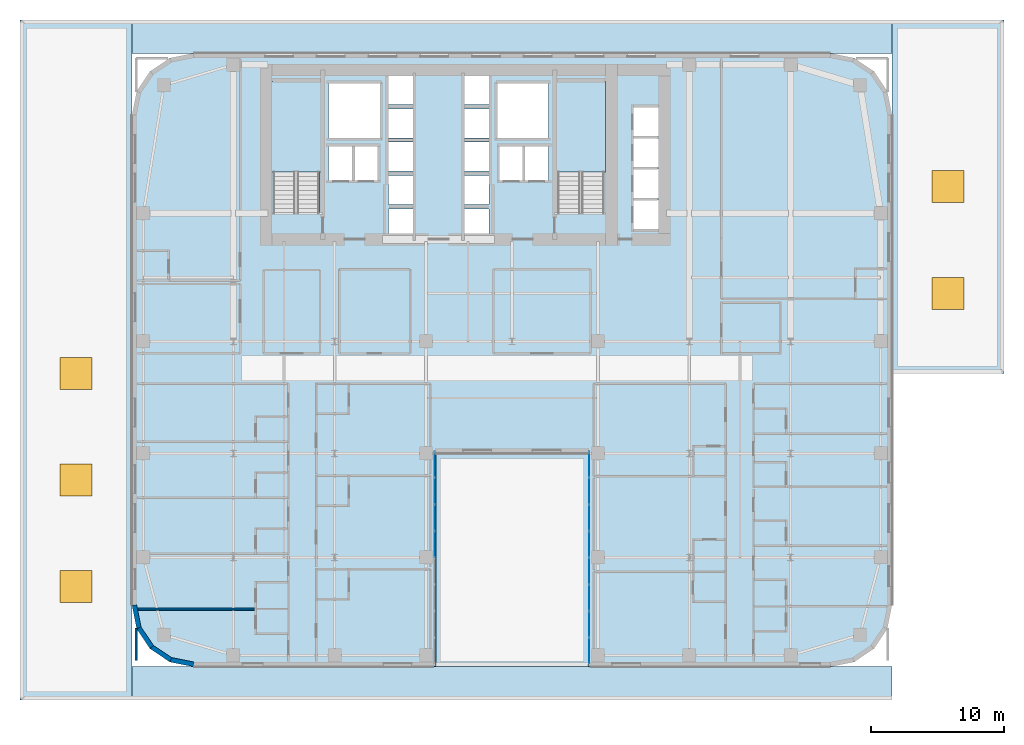
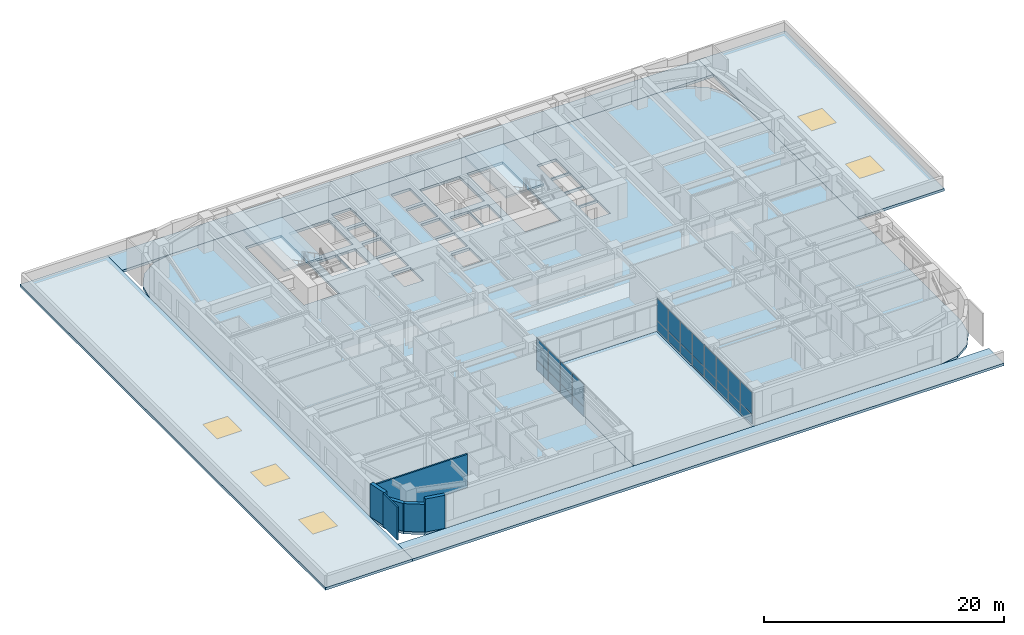
# One storey, part 12 of 25: 24 plates, 8 slabs, 6 walls, 5 windows, 5 openings, 4 elements without a shape of their own.
"""IFC4 building model written with IfcOpenShell, lengths in metres."""

from ifc_helpers import new_model, si_unit, direction, frame, frame_2d, origin, origin_2d, place, context, subcontext, project, spatial, polyline, rectangle, outline, extrude, source, transform, mapped, material, layer, layer_set, type_object, type_shapes, element, fill, aggregate, save


model = new_model("IFC4")

# Units and contexts
model_context = context("Model", 3, precision=1e-05, world=origin(), true_north=direction((0.0, 1.0)))
body_context = subcontext(model_context, "Body", "Model", "MODEL_VIEW")
ifc_project = project(units=[si_unit("LENGTHUNIT", "METRE"), si_unit("AREAUNIT", "SQUARE_METRE"), si_unit("VOLUMEUNIT", "CUBIC_METRE"), si_unit("PLANEANGLEUNIT", "RADIAN"), si_unit("MASSUNIT", "GRAM", prefix="KILO")], contexts=[model_context])

# Site, building, storey
site_placement = place(None, origin())
site = spatial("IfcSite", under=ifc_project, at=site_placement, CompositionType="ELEMENT")
building_placement = place(site_placement, origin())
building = spatial("IfcBuilding", under=site, at=building_placement, Name="Tolvann Quenvar Hotel", CompositionType="ELEMENT")
storey_placement = place(building_placement, frame((0.0, 0.0, 32.0)))
storey = spatial("IfcBuildingStorey", under=building, at=storey_placement, Name="L06", CompositionType="ELEMENT", Elevation=32.0)

# Stair, slab
ifc_material_1 = material(Name="Concrete N40 (40 MPa)", Category="concrete")
stair_type = type_object("IfcStairType", Name="STAIR", PredefinedType="HALF_TURN_STAIR", material=ifc_material_1)
stair_1_placement = place(storey_placement, origin())
stair_1 = element("IfcStair", 1, at=stair_1_placement, inside=storey, type_object=stair_type, Name="L06 ST-C1", PredefinedType="HALF_TURN_STAIR")
ifc_layer_1 = layer(ifc_material_1, 0.199951171875)
ifc_layer_set_1 = layer_set([ifc_layer_1], Name="Concrete N40 (40 MPa)")
slab_type_1 = type_object("IfcSlabType", Name="SLAB_LANDING", PredefinedType="LANDING", material=ifc_layer_set_1)
slab_1_placement = place(storey_placement, frame((0.0, 0.0, 1.574951171875)))
slab_1 = element("IfcSlab", 2, at=slab_1_placement, type_object=slab_type_1, Name="ST-C1 landing 1", PredefinedType="LANDING", context=body_context, shape_type="SweptSolid", body=[
    extrude(outline(polyline([(14.179931640625, 37.10498046875), (14.179931640625, 43.8798828125), (10.469970703125, 43.8798828125), (10.469970703125, 37.10498046875), (14.179931640625, 37.10498046875)])), origin(), (0.0, 0.0, 1.0), 0.199951171875),
])
aggregate(stair_1, [slab_1])

stair_2_placement = place(storey_placement, origin())
stair_2 = element("IfcStair", 3, at=stair_2_placement, inside=storey, type_object=stair_type, Name="L06 ST-C2", PredefinedType="HALF_TURN_STAIR")
slab_2_placement = place(storey_placement, frame((0.0, 0.0, 1.574951171875)))
slab_2 = element("IfcSlab", 4, at=slab_2_placement, type_object=slab_type_1, Name="ST-C2 landing 1", PredefinedType="LANDING", context=body_context, shape_type="SweptSolid", body=[
    extrude(outline(polyline([(35.530029296875, 37.10498046875), (35.530029296875, 43.8798828125), (31.820068359375, 43.8798828125), (31.820068359375, 37.10498046875), (35.530029296875, 37.10498046875)])), origin(), (0.0, 0.0, 1.0), 0.199951171875),
])
aggregate(stair_2, [slab_2])

# Slab
ifc_material_2 = material(Name="Concrete N50 (50 MPa)", Category="concrete")
ifc_layer_2 = layer(ifc_material_2, 0.260009765625)
ifc_layer_set_2 = layer_set([ifc_layer_2], Name="Concrete N50 (50 MPa)")
slab_type_2 = type_object("IfcSlabType", Name="SLAB_POD_250", PredefinedType="FLOOR", material=ifc_layer_set_2)
slab_3_placement = place(storey_placement, frame((0.0, 0.0, -0.260009765625)))
element("IfcSlab", 5, at=slab_3_placement, inside=storey, type_object=slab_type_2, Name="Level L06 Structural Floor Slab", PredefinedType="FLOOR", context=body_context, shape_type="SweptSolid", body=[
    extrude(outline(polyline([(0.0, 4.60009765625), (0.35009765625, 2.839599609375), (1.347412109375, 1.347412109375), (2.839599609375, 0.35009765625), (4.60009765625, 0.0), (22.800048828125, 0.0), (22.800048828125, 16.0), (34.199951171875, 16.0), (34.199951171875, 0.0), (52.39990234375, 0.0), (54.160400390625, 0.35009765625), (55.652587890625, 1.347412109375), (56.64990234375, 2.839599609375), (57.0, 4.60009765625), (57.0, 41.39990234375), (56.64990234375, 43.160400390625), (55.652587890625, 44.652587890625), (54.160400390625, 45.64990234375), (52.39990234375, 46.0), (4.60009765625, 46.0), (2.839599609375, 45.64990234375), (1.347412109375, 44.652587890625), (0.35009765625, 43.160400390625), (0.0, 41.39990234375), (0.0, 4.60009765625)]), holes=[polyline([(37.6298828125, 41.949951171875), (39.469970703125, 41.949951171875), (39.469970703125, 39.77001953125), (37.6298828125, 39.77001953125), (37.6298828125, 41.949951171875)]), polyline([(37.6298828125, 39.6298828125), (39.469970703125, 39.6298828125), (39.469970703125, 37.449951171875), (37.6298828125, 37.449951171875), (37.6298828125, 39.6298828125)]), polyline([(37.6298828125, 37.31005859375), (39.469970703125, 37.31005859375), (39.469970703125, 35.1298828125), (37.6298828125, 35.1298828125), (37.6298828125, 37.31005859375)]), polyline([(37.6298828125, 34.989990234375), (39.469970703125, 34.989990234375), (39.469970703125, 32.81005859375), (37.6298828125, 32.81005859375), (37.6298828125, 34.989990234375)]), polyline([(31.949951171875, 43.800048828125), (35.39990234375, 43.800048828125), (35.39990234375, 34.02490234375), (31.949951171875, 34.02490234375), (31.949951171875, 43.800048828125)]), polyline([(31.25, 39.02001953125), (31.25, 36.47998046875), (29.449951171875, 36.47998046875), (29.449951171875, 39.02001953125), (31.25, 39.02001953125)]), polyline([(31.25, 43.75), (31.25, 39.64990234375), (27.39990234375, 39.64990234375), (27.39990234375, 43.75), (31.25, 43.75)]), polyline([(27.574951171875, 39.02001953125), (29.324951171875, 39.02001953125), (29.324951171875, 36.47998046875), (27.574951171875, 36.47998046875), (27.574951171875, 39.02001953125)]), polyline([(26.77001953125, 36.840087890625), (26.77001953125, 34.659912109375), (24.929931640625, 34.659912109375), (24.929931640625, 36.840087890625), (26.77001953125, 36.840087890625)]), polyline([(26.77001953125, 44.340087890625), (26.77001953125, 42.159912109375), (24.929931640625, 42.159912109375), (24.929931640625, 44.340087890625), (26.77001953125, 44.340087890625)]), polyline([(26.77001953125, 41.840087890625), (26.77001953125, 39.659912109375), (24.929931640625, 39.659912109375), (24.929931640625, 41.840087890625), (26.77001953125, 41.840087890625)]), polyline([(26.77001953125, 39.340087890625), (26.77001953125, 37.159912109375), (24.929931640625, 37.159912109375), (24.929931640625, 39.340087890625), (26.77001953125, 39.340087890625)]), polyline([(24.929931640625, 34.340087890625), (26.77001953125, 34.340087890625), (26.77001953125, 32.159912109375), (24.929931640625, 32.159912109375), (24.929931640625, 34.340087890625)]), polyline([(21.070068359375, 44.340087890625), (21.070068359375, 42.159912109375), (19.22998046875, 42.159912109375), (19.22998046875, 44.340087890625), (21.070068359375, 44.340087890625)]), polyline([(19.22998046875, 41.840087890625), (21.070068359375, 41.840087890625), (21.070068359375, 39.659912109375), (19.22998046875, 39.659912109375), (19.22998046875, 41.840087890625)]), polyline([(21.070068359375, 39.340087890625), (21.070068359375, 37.159912109375), (19.22998046875, 37.159912109375), (19.22998046875, 39.340087890625), (21.070068359375, 39.340087890625)]), polyline([(19.22998046875, 36.840087890625), (21.070068359375, 36.840087890625), (21.070068359375, 34.659912109375), (19.22998046875, 34.659912109375), (19.22998046875, 36.840087890625)]), polyline([(19.22998046875, 34.340087890625), (21.070068359375, 34.340087890625), (21.070068359375, 32.159912109375), (19.22998046875, 32.159912109375), (19.22998046875, 34.340087890625)]), polyline([(18.60009765625, 43.75), (18.60009765625, 39.64990234375), (14.75, 39.64990234375), (14.75, 43.75), (18.60009765625, 43.75)]), polyline([(16.675048828125, 39.02001953125), (18.425048828125, 39.02001953125), (18.425048828125, 36.47998046875), (16.675048828125, 36.47998046875), (16.675048828125, 39.02001953125)]), polyline([(16.550048828125, 39.02001953125), (16.550048828125, 36.47998046875), (14.75, 36.47998046875), (14.75, 39.02001953125), (16.550048828125, 39.02001953125)]), polyline([(10.60009765625, 43.800048828125), (14.050048828125, 43.800048828125), (14.050048828125, 34.02490234375), (10.60009765625, 34.02490234375), (10.60009765625, 43.800048828125)])]), origin(), (0.0, 0.0, 1.0), 0.260009765625),
])

# Slab, openings, windows
ifc_layer_3 = layer(ifc_material_2, 0.260009765625)
ifc_layer_set_3 = layer_set([ifc_layer_3], Name="Concrete N50 (50 MPa)")
slab_type_3 = type_object("IfcSlabType", Name="SLAB_TER_260", PredefinedType="ROOF", material=ifc_layer_set_3)
slab_4_placement = place(storey_placement, frame((0.0, 0.0, -0.260009765625)))
slab_4 = element("IfcSlab", 6, at=slab_4_placement, inside=storey, type_object=slab_type_3, Name="Podium Roof Cap (ROOF-POD-WEST)", PredefinedType="ROOF", context=body_context, shape_type="SweptSolid", body=[
    extrude(outline(polyline([(-8.39990234375, -2.5), (0.0, -2.5), (0.0, 48.5), (-8.39990234375, 48.5), (-8.39990234375, -2.5)])), origin(), (0.0, 0.0, 1.0), 0.260009765625),
])
opening_1_placement = place(slab_4_placement, frame((-4.199951171875, 6.0, 0.0)))
opening_1 = element("IfcOpeningElement", 7, at=opening_1_placement, cuts=slab_4, Name="Opening SK-02", PredefinedType="OPENING", context=body_context, shape_type="SweptSolid", body=[
    extrude(rectangle(XDim=2.39990234375, YDim=2.39990234375, at=origin_2d()), frame((0.0, 0.0, -0.010009765625)), (0.0, 0.0, 1.0), 0.280029296875),
])
opening_2_placement = place(slab_4_placement, frame((-4.199951171875, 14.0, 0.0)))
opening_2 = element("IfcOpeningElement", 8, at=opening_2_placement, cuts=slab_4, Name="Opening SK-02", PredefinedType="OPENING", context=body_context, shape_type="SweptSolid", body=[
    extrude(rectangle(XDim=2.39990234375, YDim=2.39990234375, at=origin_2d()), frame((0.0, 0.0, -0.010009765625)), (0.0, 0.0, 1.0), 0.280029296875),
])
opening_3_placement = place(slab_4_placement, frame((-4.199951171875, 22.0, 0.0)))
opening_3 = element("IfcOpeningElement", 9, at=opening_3_placement, cuts=slab_4, Name="Opening SK-02", PredefinedType="OPENING", context=body_context, shape_type="SweptSolid", body=[
    extrude(rectangle(XDim=2.39990234375, YDim=2.39990234375, at=origin_2d()), frame((0.0, 0.0, -0.010009765625)), (0.0, 0.0, 1.0), 0.280029296875),
])
ifc_material_3 = material(Name="Thermally broken bronze-anodised aluminium frame with double low-E glazing", Category="aluminium")
window_type = type_object("IfcWindowType", Name="SKY_POD_2400x2400", PartitioningType="DOUBLE_PANEL_HORIZONTAL", PredefinedType="SKYLIGHT", material=ifc_material_3)
window_1_placement = place(opening_1_placement, frame((0.0, 0.0, 0.199951171875)))
window_1 = element("IfcWindow", 10, at=window_1_placement, inside=storey, type_object=window_type, Name="Podium Spa Rooflight SK-02 (1)", OverallHeight=2.39990234375, OverallWidth=2.39990234375, PartitioningType="DOUBLE_PANEL_HORIZONTAL", PredefinedType="SKYLIGHT", context=body_context, shape_type="SweptSolid", body=[
    extrude(rectangle(XDim=2.39990234375, YDim=2.39990234375, at=origin_2d()), origin(), (0.0, 0.0, 1.0), 0.06005859375),
])
fill(opening_1, window_1)
window_2_placement = place(opening_2_placement, frame((0.0, 0.0, 0.199951171875)))
window_2 = element("IfcWindow", 11, at=window_2_placement, inside=storey, type_object=window_type, Name="Podium Spa Rooflight SK-02 (2)", OverallHeight=2.39990234375, OverallWidth=2.39990234375, PartitioningType="DOUBLE_PANEL_HORIZONTAL", PredefinedType="SKYLIGHT", context=body_context, shape_type="SweptSolid", body=[
    extrude(rectangle(XDim=2.39990234375, YDim=2.39990234375, at=origin_2d()), origin(), (0.0, 0.0, 1.0), 0.06005859375),
])
fill(opening_2, window_2)
window_3_placement = place(opening_3_placement, frame((0.0, 0.0, 0.199951171875)))
window_3 = element("IfcWindow", 12, at=window_3_placement, inside=storey, type_object=window_type, Name="Podium Spa Rooflight SK-02 (3)", OverallHeight=2.39990234375, OverallWidth=2.39990234375, PartitioningType="DOUBLE_PANEL_HORIZONTAL", PredefinedType="SKYLIGHT", context=body_context, shape_type="SweptSolid", body=[
    extrude(rectangle(XDim=2.39990234375, YDim=2.39990234375, at=origin_2d()), origin(), (0.0, 0.0, 1.0), 0.06005859375),
])
fill(opening_3, window_3)

slab_5_placement = place(storey_placement, frame((0.0, 0.0, -0.260009765625)))
slab_5 = element("IfcSlab", 13, at=slab_5_placement, inside=storey, type_object=slab_type_3, Name="Podium Roof Cap (ROOF-POD-EAST)", PredefinedType="ROOF", context=body_context, shape_type="SweptSolid", body=[
    extrude(outline(polyline([(57.0, 22.0), (65.39990234375, 22.0), (65.39990234375, 48.5), (57.0, 48.5), (57.0, 22.0)])), origin(), (0.0, 0.0, 1.0), 0.260009765625),
])
opening_4_placement = place(slab_5_placement, frame((61.199951171875, 28.0, 0.0)))
opening_4 = element("IfcOpeningElement", 14, at=opening_4_placement, cuts=slab_5, Name="Opening SK-02", PredefinedType="OPENING", context=body_context, shape_type="SweptSolid", body=[
    extrude(rectangle(XDim=2.39990234375, YDim=2.39990234375, at=origin_2d()), frame((0.0, 0.0, -0.010009765625)), (0.0, 0.0, 1.0), 0.280029296875),
])
opening_5_placement = place(slab_5_placement, frame((61.199951171875, 36.0, 0.0)))
opening_5 = element("IfcOpeningElement", 15, at=opening_5_placement, cuts=slab_5, Name="Opening SK-02", PredefinedType="OPENING", context=body_context, shape_type="SweptSolid", body=[
    extrude(rectangle(XDim=2.39990234375, YDim=2.39990234375, at=origin_2d()), frame((0.0, 0.0, -0.010009765625)), (0.0, 0.0, 1.0), 0.280029296875),
])
window_4_placement = place(opening_4_placement, frame((0.0, 0.0, 0.199951171875)))
window_4 = element("IfcWindow", 16, at=window_4_placement, inside=storey, type_object=window_type, Name="Podium Spa Rooflight SK-02 (4)", OverallHeight=2.39990234375, OverallWidth=2.39990234375, PartitioningType="DOUBLE_PANEL_HORIZONTAL", PredefinedType="SKYLIGHT", context=body_context, shape_type="SweptSolid", body=[
    extrude(rectangle(XDim=2.39990234375, YDim=2.39990234375, at=origin_2d()), origin(), (0.0, 0.0, 1.0), 0.06005859375),
])
fill(opening_4, window_4)
window_5_placement = place(opening_5_placement, frame((0.0, 0.0, 0.199951171875)))
window_5 = element("IfcWindow", 17, at=window_5_placement, inside=storey, type_object=window_type, Name="Podium Spa Rooflight SK-02 (5)", OverallHeight=2.39990234375, OverallWidth=2.39990234375, PartitioningType="DOUBLE_PANEL_HORIZONTAL", PredefinedType="SKYLIGHT", context=body_context, shape_type="SweptSolid", body=[
    extrude(rectangle(XDim=2.39990234375, YDim=2.39990234375, at=origin_2d()), origin(), (0.0, 0.0, 1.0), 0.06005859375),
])
fill(opening_5, window_5)

# Slabs
slab_6_placement = place(storey_placement, frame((0.0, 0.0, -0.260009765625)))
element("IfcSlab", 18, at=slab_6_placement, inside=storey, type_object=slab_type_3, Name="Podium Roof Cap (ROOF-POD-SOUTH)", PredefinedType="ROOF", context=body_context, shape_type="SweptSolid", body=[
    extrude(outline(polyline([(0.0, -2.5), (57.0, -2.5), (57.0, 0.0), (0.0, 0.0), (0.0, -2.5)])), origin(), (0.0, 0.0, 1.0), 0.260009765625),
])
slab_7_placement = place(storey_placement, frame((0.0, 0.0, -0.260009765625)))
element("IfcSlab", 19, at=slab_7_placement, inside=storey, type_object=slab_type_3, Name="Podium Roof Cap (ROOF-POD-NORTH)", PredefinedType="ROOF", context=body_context, shape_type="SweptSolid", body=[
    extrude(outline(polyline([(0.0, 46.0), (57.0, 46.0), (57.0, 48.5), (0.0, 48.5), (0.0, 46.0)])), origin(), (0.0, 0.0, 1.0), 0.260009765625),
])
slab_8_placement = place(storey_placement, frame((0.0, 0.0, -0.260009765625)))
element("IfcSlab", 20, at=slab_8_placement, inside=storey, type_object=slab_type_3, Name="Podium Roof Cap (ROOF-POD-SLOT)", PredefinedType="ROOF", context=body_context, shape_type="SweptSolid", body=[
    extrude(outline(polyline([(22.800048828125, 0.0), (34.199951171875, 0.0), (34.199951171875, 16.0), (22.800048828125, 16.0), (22.800048828125, 0.0)])), origin(), (0.0, 0.0, 1.0), 0.260009765625),
])

# Curtain wall, plate
ifc_material_4 = material(Name="Thermally broken anodised architectural aluminium 6063-T6 and laminated low-E glass", Category="aluminium")
ifc_layer_4 = layer(ifc_material_4, 0.179931640625)
ifc_layer_set_4 = layer_set([ifc_layer_4], Name="Thermally broken anodised architectural aluminium 6063-T6 and laminated low-E glass")
curtain_wall_type = type_object("IfcCurtainWallType", Name="CW_SYS_SLOT_03", PredefinedType="USERDEFINED", material=ifc_layer_set_4)
curtain_wall_1_placement = place(storey_placement, origin())
curtain_wall_1 = element("IfcCurtainWall", 21, at=curtain_wall_1_placement, inside=storey, type_object=curtain_wall_type, Name="Curtain Wall CW-SLOT-03 (CWR-L06-E05)", ObjectType="UNITISED CURTAIN WALL", PredefinedType="USERDEFINED")
ifc_material_5 = material(Name="Low-iron laminated double glazing with solar-control coating", Category="glass")
ifc_layer_5 = layer(ifc_material_5, 0.028076171875)
ifc_layer_set_5 = layer_set([ifc_layer_5], Name="Low-iron laminated double glazing with solar-control coating")
plate_type = type_object("IfcPlateType", Name="CW_PAN_VISION_28", PredefinedType="CURTAIN_PANEL", material=ifc_layer_set_5)
shared_shape_1 = source(origin(), body_context, "Body", "SweptSolid", [
    extrude(rectangle(XDim=1.89501953125, YDim=0.028076171875, at=origin_2d()), origin(), (0.0, 0.0, 1.0), 0.9599609375),
])
plate_1_placement = place(storey_placement, frame((22.7099609375, 15.157470703125, 0.06005859375), z_axis=(0.0, 0.0, 1.0), x_axis=(0.0, 1.0, 0.0)))
plate_1 = element("IfcPlate", 22, at=plate_1_placement, type_object=plate_type, Name="CW-SLOT-03 panel 8.1", PredefinedType="CURTAIN_PANEL", context=body_context, shape_type="MappedRepresentation", body=[
    mapped(shared_shape_1, transform((0.0, 0.0, 0.0), x_axis=(1.0, 0.0, 0.0), y_axis=(0.0, 1.0, 0.0), z_axis=(0.0, 0.0, 1.0), scale=1.0)),
])

# Curtain wall, plates
curtain_wall_2_placement = place(storey_placement, origin())
curtain_wall_2 = element("IfcCurtainWall", 23, at=curtain_wall_2_placement, inside=storey, type_object=curtain_wall_type, Name="Curtain Wall CW-SLOT-03 (CWR-L06-E07)", ObjectType="UNITISED CURTAIN WALL", PredefinedType="USERDEFINED")
plate_2_placement = place(storey_placement, frame((34.2900390625, 15.157470703125, 0.06005859375), z_axis=(0.0, 0.0, 1.0), x_axis=(0.0, -1.0, 0.0)))
plate_2 = element("IfcPlate", 24, at=plate_2_placement, type_object=plate_type, Name="CW-SLOT-03 panel 1.1", PredefinedType="CURTAIN_PANEL", context=body_context, shape_type="MappedRepresentation", body=[
    mapped(shared_shape_1, transform((0.0, 0.0, 0.0), x_axis=(1.0, 0.0, 0.0), y_axis=(0.0, 1.0, 0.0), z_axis=(0.0, 0.0, 1.0), scale=1.0)),
])
plate_3_placement = place(storey_placement, frame((34.2900390625, 1.1923828125, 0.06005859375), z_axis=(0.0, 0.0, 1.0), x_axis=(0.0, -1.0, 0.0)))
plate_3 = element("IfcPlate", 25, at=plate_3_placement, type_object=plate_type, Name="CW-SLOT-03 panel 8.1", PredefinedType="CURTAIN_PANEL", context=body_context, shape_type="MappedRepresentation", body=[
    mapped(shared_shape_1, transform((0.0, 0.0, 0.0), x_axis=(1.0, 0.0, 0.0), y_axis=(0.0, 1.0, 0.0), z_axis=(0.0, 0.0, 1.0), scale=1.0)),
])

# Plate
shared_shape_2 = source(origin(), body_context, "Body", "SweptSolid", [
    extrude(rectangle(XDim=1.89501953125, YDim=0.028076171875, at=origin_2d()), origin(), (0.0, 0.0, 1.0), 2.22998046875),
])
plate_4_placement = place(storey_placement, frame((22.7099609375, 15.157470703125, 1.080078125), z_axis=(0.0, 0.0, 1.0), x_axis=(0.0, 1.0, 0.0)))
plate_4 = element("IfcPlate", 26, at=plate_4_placement, type_object=plate_type, Name="CW-SLOT-03 panel 8.2", PredefinedType="CURTAIN_PANEL", context=body_context, shape_type="MappedRepresentation", body=[
    mapped(shared_shape_2, transform((0.0, 0.0, 0.0), x_axis=(1.0, 0.0, 0.0), y_axis=(0.0, 1.0, 0.0), z_axis=(0.0, 0.0, 1.0), scale=1.0)),
])

plate_5_placement = place(storey_placement, frame((34.2900390625, 15.157470703125, 1.080078125), z_axis=(0.0, 0.0, 1.0), x_axis=(0.0, -1.0, 0.0)))
plate_5 = element("IfcPlate", 27, at=plate_5_placement, type_object=plate_type, Name="CW-SLOT-03 panel 1.2", PredefinedType="CURTAIN_PANEL", context=body_context, shape_type="MappedRepresentation", body=[
    mapped(shared_shape_2, transform((0.0, 0.0, 0.0), x_axis=(1.0, 0.0, 0.0), y_axis=(0.0, 1.0, 0.0), z_axis=(0.0, 0.0, 1.0), scale=1.0)),
])

plate_6_placement = place(storey_placement, frame((34.2900390625, 1.1923828125, 1.080078125), z_axis=(0.0, 0.0, 1.0), x_axis=(0.0, -1.0, 0.0)))
plate_6 = element("IfcPlate", 28, at=plate_6_placement, type_object=plate_type, Name="CW-SLOT-03 panel 8.2", PredefinedType="CURTAIN_PANEL", context=body_context, shape_type="MappedRepresentation", body=[
    mapped(shared_shape_2, transform((0.0, 0.0, 0.0), x_axis=(1.0, 0.0, 0.0), y_axis=(0.0, 1.0, 0.0), z_axis=(0.0, 0.0, 1.0), scale=1.0)),
])

shared_shape_3 = source(origin(), body_context, "Body", "SweptSolid", [
    extrude(rectangle(XDim=1.929931640625, YDim=0.028076171875, at=origin_2d()), origin(), (0.0, 0.0, 1.0), 0.9599609375),
])
plate_7_placement = place(storey_placement, frame((22.7099609375, 9.175048828125, 0.06005859375), z_axis=(0.0, 0.0, 1.0), x_axis=(0.0, 1.0, 0.0)))
plate_7 = element("IfcPlate", 29, at=plate_7_placement, type_object=plate_type, Name="CW-SLOT-03 panel 5.1", PredefinedType="CURTAIN_PANEL", context=body_context, shape_type="MappedRepresentation", body=[
    mapped(shared_shape_3, transform((0.0, 0.0, 0.0), x_axis=(1.0, 0.0, 0.0), y_axis=(0.0, 1.0, 0.0), z_axis=(0.0, 0.0, 1.0), scale=1.0)),
])

plate_8_placement = place(storey_placement, frame((22.7099609375, 11.175048828125, 0.06005859375), z_axis=(0.0, 0.0, 1.0), x_axis=(0.0, 1.0, 0.0)))
plate_8 = element("IfcPlate", 30, at=plate_8_placement, type_object=plate_type, Name="CW-SLOT-03 panel 6.1", PredefinedType="CURTAIN_PANEL", context=body_context, shape_type="MappedRepresentation", body=[
    mapped(shared_shape_3, transform((0.0, 0.0, 0.0), x_axis=(1.0, 0.0, 0.0), y_axis=(0.0, 1.0, 0.0), z_axis=(0.0, 0.0, 1.0), scale=1.0)),
])

plate_9_placement = place(storey_placement, frame((22.7099609375, 13.175048828125, 0.06005859375), z_axis=(0.0, 0.0, 1.0), x_axis=(0.0, 1.0, 0.0)))
plate_9 = element("IfcPlate", 31, at=plate_9_placement, type_object=plate_type, Name="CW-SLOT-03 panel 7.1", PredefinedType="CURTAIN_PANEL", context=body_context, shape_type="MappedRepresentation", body=[
    mapped(shared_shape_3, transform((0.0, 0.0, 0.0), x_axis=(1.0, 0.0, 0.0), y_axis=(0.0, 1.0, 0.0), z_axis=(0.0, 0.0, 1.0), scale=1.0)),
])

plate_10_placement = place(storey_placement, frame((34.2900390625, 13.175048828125, 0.06005859375), z_axis=(0.0, 0.0, 1.0), x_axis=(0.0, -1.0, 0.0)))
plate_10 = element("IfcPlate", 32, at=plate_10_placement, type_object=plate_type, Name="CW-SLOT-03 panel 2.1", PredefinedType="CURTAIN_PANEL", context=body_context, shape_type="MappedRepresentation", body=[
    mapped(shared_shape_3, transform((0.0, 0.0, 0.0), x_axis=(1.0, 0.0, 0.0), y_axis=(0.0, 1.0, 0.0), z_axis=(0.0, 0.0, 1.0), scale=1.0)),
])

plate_11_placement = place(storey_placement, frame((34.2900390625, 11.175048828125, 0.06005859375), z_axis=(0.0, 0.0, 1.0), x_axis=(0.0, -1.0, 0.0)))
plate_11 = element("IfcPlate", 33, at=plate_11_placement, type_object=plate_type, Name="CW-SLOT-03 panel 3.1", PredefinedType="CURTAIN_PANEL", context=body_context, shape_type="MappedRepresentation", body=[
    mapped(shared_shape_3, transform((0.0, 0.0, 0.0), x_axis=(1.0, 0.0, 0.0), y_axis=(0.0, 1.0, 0.0), z_axis=(0.0, 0.0, 1.0), scale=1.0)),
])

plate_12_placement = place(storey_placement, frame((34.2900390625, 9.175048828125, 0.06005859375), z_axis=(0.0, 0.0, 1.0), x_axis=(0.0, -1.0, 0.0)))
plate_12 = element("IfcPlate", 34, at=plate_12_placement, type_object=plate_type, Name="CW-SLOT-03 panel 4.1", PredefinedType="CURTAIN_PANEL", context=body_context, shape_type="MappedRepresentation", body=[
    mapped(shared_shape_3, transform((0.0, 0.0, 0.0), x_axis=(1.0, 0.0, 0.0), y_axis=(0.0, 1.0, 0.0), z_axis=(0.0, 0.0, 1.0), scale=1.0)),
])

plate_13_placement = place(storey_placement, frame((34.2900390625, 7.175048828125, 0.06005859375), z_axis=(0.0, 0.0, 1.0), x_axis=(0.0, -1.0, 0.0)))
plate_13 = element("IfcPlate", 35, at=plate_13_placement, type_object=plate_type, Name="CW-SLOT-03 panel 5.1", PredefinedType="CURTAIN_PANEL", context=body_context, shape_type="MappedRepresentation", body=[
    mapped(shared_shape_3, transform((0.0, 0.0, 0.0), x_axis=(1.0, 0.0, 0.0), y_axis=(0.0, 1.0, 0.0), z_axis=(0.0, 0.0, 1.0), scale=1.0)),
])

plate_14_placement = place(storey_placement, frame((34.2900390625, 5.175048828125, 0.06005859375), z_axis=(0.0, 0.0, 1.0), x_axis=(0.0, -1.0, 0.0)))
plate_14 = element("IfcPlate", 36, at=plate_14_placement, type_object=plate_type, Name="CW-SLOT-03 panel 6.1", PredefinedType="CURTAIN_PANEL", context=body_context, shape_type="MappedRepresentation", body=[
    mapped(shared_shape_3, transform((0.0, 0.0, 0.0), x_axis=(1.0, 0.0, 0.0), y_axis=(0.0, 1.0, 0.0), z_axis=(0.0, 0.0, 1.0), scale=1.0)),
])

plate_15_placement = place(storey_placement, frame((34.2900390625, 3.175048828125, 0.06005859375), z_axis=(0.0, 0.0, 1.0), x_axis=(0.0, -1.0, 0.0)))
plate_15 = element("IfcPlate", 37, at=plate_15_placement, type_object=plate_type, Name="CW-SLOT-03 panel 7.1", PredefinedType="CURTAIN_PANEL", context=body_context, shape_type="MappedRepresentation", body=[
    mapped(shared_shape_3, transform((0.0, 0.0, 0.0), x_axis=(1.0, 0.0, 0.0), y_axis=(0.0, 1.0, 0.0), z_axis=(0.0, 0.0, 1.0), scale=1.0)),
])

shared_shape_4 = source(origin(), body_context, "Body", "SweptSolid", [
    extrude(rectangle(XDim=1.929931640625, YDim=0.028076171875, at=origin_2d()), origin(), (0.0, 0.0, 1.0), 2.22998046875),
])
type_shapes(plate_type, [shared_shape_1, shared_shape_2, shared_shape_3, shared_shape_4])
plate_16_placement = place(storey_placement, frame((22.7099609375, 9.175048828125, 1.080078125), z_axis=(0.0, 0.0, 1.0), x_axis=(0.0, 1.0, 0.0)))
plate_16 = element("IfcPlate", 38, at=plate_16_placement, type_object=plate_type, Name="CW-SLOT-03 panel 5.2", PredefinedType="CURTAIN_PANEL", context=body_context, shape_type="MappedRepresentation", body=[
    mapped(shared_shape_4, transform((0.0, 0.0, 0.0), x_axis=(1.0, 0.0, 0.0), y_axis=(0.0, 1.0, 0.0), z_axis=(0.0, 0.0, 1.0), scale=1.0)),
])

plate_17_placement = place(storey_placement, frame((22.7099609375, 11.175048828125, 1.080078125), z_axis=(0.0, 0.0, 1.0), x_axis=(0.0, 1.0, 0.0)))
plate_17 = element("IfcPlate", 39, at=plate_17_placement, type_object=plate_type, Name="CW-SLOT-03 panel 6.2", PredefinedType="CURTAIN_PANEL", context=body_context, shape_type="MappedRepresentation", body=[
    mapped(shared_shape_4, transform((0.0, 0.0, 0.0), x_axis=(1.0, 0.0, 0.0), y_axis=(0.0, 1.0, 0.0), z_axis=(0.0, 0.0, 1.0), scale=1.0)),
])

plate_18_placement = place(storey_placement, frame((22.7099609375, 13.175048828125, 1.080078125), z_axis=(0.0, 0.0, 1.0), x_axis=(0.0, 1.0, 0.0)))
plate_18 = element("IfcPlate", 40, at=plate_18_placement, type_object=plate_type, Name="CW-SLOT-03 panel 7.2", PredefinedType="CURTAIN_PANEL", context=body_context, shape_type="MappedRepresentation", body=[
    mapped(shared_shape_4, transform((0.0, 0.0, 0.0), x_axis=(1.0, 0.0, 0.0), y_axis=(0.0, 1.0, 0.0), z_axis=(0.0, 0.0, 1.0), scale=1.0)),
])

aggregate(curtain_wall_1, [plate_7, plate_16, plate_8, plate_17, plate_9, plate_18, plate_1, plate_4])

plate_19_placement = place(storey_placement, frame((34.2900390625, 13.175048828125, 1.080078125), z_axis=(0.0, 0.0, 1.0), x_axis=(0.0, -1.0, 0.0)))
plate_19 = element("IfcPlate", 41, at=plate_19_placement, type_object=plate_type, Name="CW-SLOT-03 panel 2.2", PredefinedType="CURTAIN_PANEL", context=body_context, shape_type="MappedRepresentation", body=[
    mapped(shared_shape_4, transform((0.0, 0.0, 0.0), x_axis=(1.0, 0.0, 0.0), y_axis=(0.0, 1.0, 0.0), z_axis=(0.0, 0.0, 1.0), scale=1.0)),
])

plate_20_placement = place(storey_placement, frame((34.2900390625, 11.175048828125, 1.080078125), z_axis=(0.0, 0.0, 1.0), x_axis=(0.0, -1.0, 0.0)))
plate_20 = element("IfcPlate", 42, at=plate_20_placement, type_object=plate_type, Name="CW-SLOT-03 panel 3.2", PredefinedType="CURTAIN_PANEL", context=body_context, shape_type="MappedRepresentation", body=[
    mapped(shared_shape_4, transform((0.0, 0.0, 0.0), x_axis=(1.0, 0.0, 0.0), y_axis=(0.0, 1.0, 0.0), z_axis=(0.0, 0.0, 1.0), scale=1.0)),
])

plate_21_placement = place(storey_placement, frame((34.2900390625, 9.175048828125, 1.080078125), z_axis=(0.0, 0.0, 1.0), x_axis=(0.0, -1.0, 0.0)))
plate_21 = element("IfcPlate", 43, at=plate_21_placement, type_object=plate_type, Name="CW-SLOT-03 panel 4.2", PredefinedType="CURTAIN_PANEL", context=body_context, shape_type="MappedRepresentation", body=[
    mapped(shared_shape_4, transform((0.0, 0.0, 0.0), x_axis=(1.0, 0.0, 0.0), y_axis=(0.0, 1.0, 0.0), z_axis=(0.0, 0.0, 1.0), scale=1.0)),
])

plate_22_placement = place(storey_placement, frame((34.2900390625, 7.175048828125, 1.080078125), z_axis=(0.0, 0.0, 1.0), x_axis=(0.0, -1.0, 0.0)))
plate_22 = element("IfcPlate", 44, at=plate_22_placement, type_object=plate_type, Name="CW-SLOT-03 panel 5.2", PredefinedType="CURTAIN_PANEL", context=body_context, shape_type="MappedRepresentation", body=[
    mapped(shared_shape_4, transform((0.0, 0.0, 0.0), x_axis=(1.0, 0.0, 0.0), y_axis=(0.0, 1.0, 0.0), z_axis=(0.0, 0.0, 1.0), scale=1.0)),
])

plate_23_placement = place(storey_placement, frame((34.2900390625, 5.175048828125, 1.080078125), z_axis=(0.0, 0.0, 1.0), x_axis=(0.0, -1.0, 0.0)))
plate_23 = element("IfcPlate", 45, at=plate_23_placement, type_object=plate_type, Name="CW-SLOT-03 panel 6.2", PredefinedType="CURTAIN_PANEL", context=body_context, shape_type="MappedRepresentation", body=[
    mapped(shared_shape_4, transform((0.0, 0.0, 0.0), x_axis=(1.0, 0.0, 0.0), y_axis=(0.0, 1.0, 0.0), z_axis=(0.0, 0.0, 1.0), scale=1.0)),
])

plate_24_placement = place(storey_placement, frame((34.2900390625, 3.175048828125, 1.080078125), z_axis=(0.0, 0.0, 1.0), x_axis=(0.0, -1.0, 0.0)))
plate_24 = element("IfcPlate", 46, at=plate_24_placement, type_object=plate_type, Name="CW-SLOT-03 panel 7.2", PredefinedType="CURTAIN_PANEL", context=body_context, shape_type="MappedRepresentation", body=[
    mapped(shared_shape_4, transform((0.0, 0.0, 0.0), x_axis=(1.0, 0.0, 0.0), y_axis=(0.0, 1.0, 0.0), z_axis=(0.0, 0.0, 1.0), scale=1.0)),
])

aggregate(curtain_wall_2, [plate_2, plate_5, plate_10, plate_19, plate_11, plate_20, plate_12, plate_21, plate_13, plate_22, plate_14, plate_23, plate_15, plate_24, plate_3, plate_6])

# Walls
ifc_material_6 = material(Name="Kiln-fired red and buff architectural clay brickwork and terracotta masonry", Category="masonry")
ifc_layer_6 = layer(ifc_material_6, 0.35009765625)
ifc_layer_set_6 = layer_set([ifc_layer_6], Name="Kiln-fired red and buff architectural clay brickwork and terracotta masonry")
wall_type_1 = type_object("IfcWallType", Name="WALL_EXT_BRICK_350", PredefinedType="SOLIDWALL", material=ifc_layer_set_6)
for number, where, z_axis, x_axis, name in (
    (47, (0.514892578125, 2.907958984375, 0.0), (0.0, 0.0, 1.0), (0.55554893791, -0.831483840845, 0.0), "Exterior Chicago Brick Wall L06-E01"),
    (48, (1.473388671875, 1.473388671875, 0.0), (0.0, 0.0, 1.0), (0.831483840845, -0.55554893791, 0.0), "Exterior Chicago Brick Wall L06-E02"),
):
    element("IfcWall", number, at=place(storey_placement, frame(where, z_axis=z_axis, x_axis=x_axis)), inside=storey, type_object=wall_type_1, Name=name, PredefinedType="SOLIDWALL", context=body_context, shape_type="SweptSolid", body=[
        extrude(rectangle(XDim=1.725341796875, YDim=0.35009765625, at=frame_2d((0.86279296875, 0.0))), origin(), (0.0, 0.0, 1.0), 2.83203125),
    ])
for number, where, z_axis, x_axis, name in (
    (49, (2.907958984375, 0.514892578125, 0.0), (0.0, 0.0, 1.0), (0.980800971659, -0.195011420161, 0.0), "Exterior Chicago Brick Wall L06-E03"),
    (50, (0.175048828125, 4.6171875, 0.0), (0.0, 0.0, 1.0), (0.195011420161, -0.980800971659, 0.0), "Exterior Chicago Brick Wall L06-E24"),
):
    element("IfcWall", number, at=place(storey_placement, frame(where, z_axis=z_axis, x_axis=x_axis)), inside=storey, type_object=wall_type_1, Name=name, PredefinedType="SOLIDWALL", context=body_context, shape_type="SweptSolid", body=[
        extrude(rectangle(XDim=1.74267578125, YDim=0.35009765625, at=frame_2d((0.871337890625, 0.0))), origin(), (0.0, 0.0, 1.0), 3.3701171875),
    ])
ifc_material_7 = material(Name="Acoustic twin-stud fire-rated gypsum plasterboard partition")
ifc_layer_7 = layer(ifc_material_7, 0.14990234375)
ifc_layer_set_7 = layer_set([ifc_layer_7], Name="Acoustic twin-stud fire-rated gypsum plasterboard partition")
wall_type_2 = type_object("IfcWallType", Name="WALL_PART_SUITE_150", PredefinedType="PARTITIONING", material=ifc_layer_set_7)
wall_1_placement = place(storey_placement, frame((0.43701171875, 4.320068359375, 0.0), z_axis=(0.0, 0.0, 1.0), x_axis=(1.0, 0.0, 0.0)))
element("IfcWall", 51, at=wall_1_placement, inside=storey, type_object=wall_type_2, Name="Interior Partition PT-SPC-L06-RM-WO01-E5", PredefinedType="PARTITIONING", context=body_context, shape_type="SweptSolid", body=[
    extrude(rectangle(XDim=8.762939453125, YDim=0.14990234375, at=frame_2d((4.38134765625, 0.0))), origin(), (0.0, 0.0, 1.0), 3.3701171875),
])
wall_2_placement = place(storey_placement, frame((0.300048828125, 0.47998046875, 0.0), z_axis=(0.0, 0.0, 1.0), x_axis=(0.0, 1.0, 0.0)))
element("IfcWall", 52, at=wall_2_placement, inside=storey, type_object=wall_type_2, Name="Interior Partition PT-SPC-L06-RM-WO01-E6", PredefinedType="PARTITIONING", context=body_context, shape_type="SweptSolid", body=[
    extrude(rectangle(XDim=2.385009765625, YDim=0.14990234375, at=frame_2d((1.1923828125, 0.0))), origin(), (0.0, 0.0, 1.0), 3.3701171875),
])

save(model, "model.ifc")
